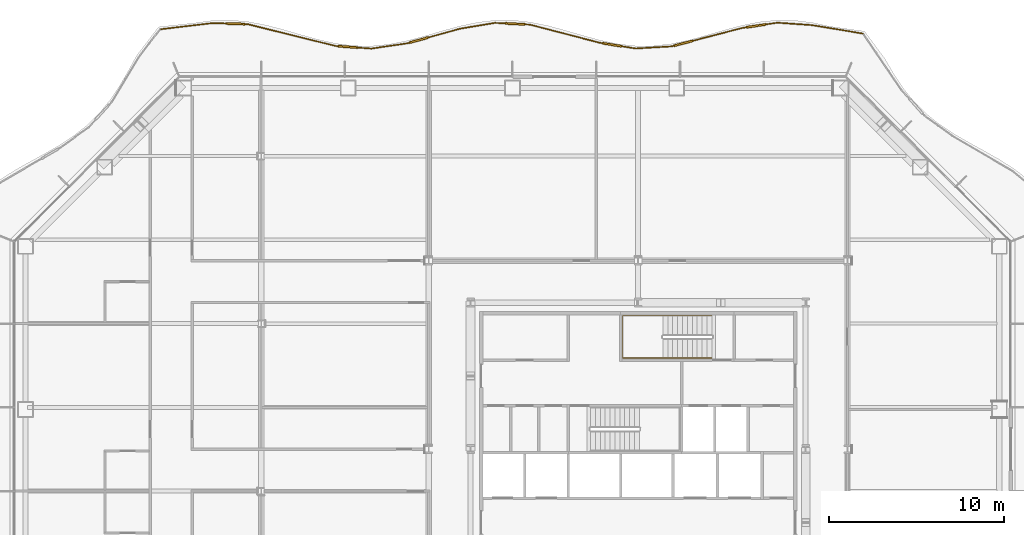
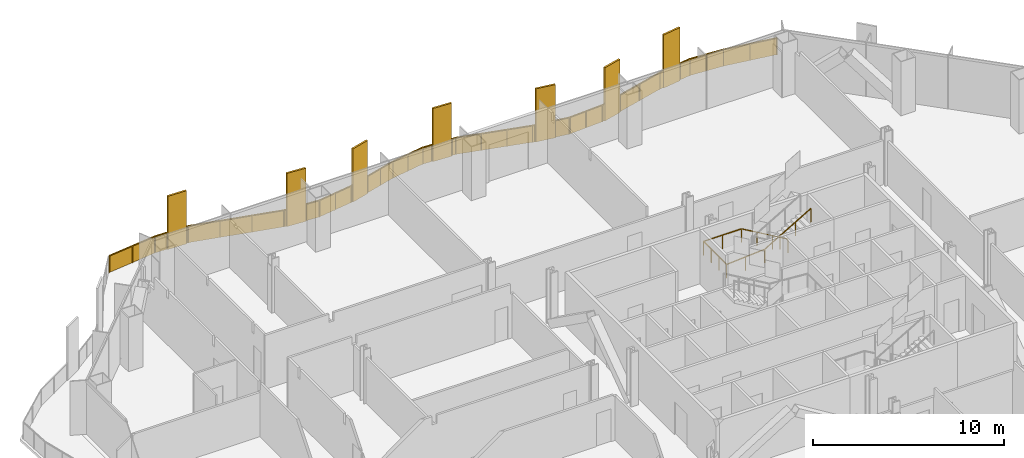
# One storey, part 17 of 18: 2 railings.
"""IFC4 building model written with IfcOpenShell, lengths in metres."""

from ifc_helpers import new_model, si_unit, direction, frame, origin, origin_2d, place, context, subcontext, project, spatial, polyline, rectangle, outline, extrude, material, type_object, element, save


model = new_model("IFC4")

# Units and contexts
model_context = context("Model", 3, precision=1e-05, world=origin(), true_north=direction((0.0, 1.0)))
body_context = subcontext(model_context, "Body", "Model", "MODEL_VIEW")
ifc_project = project(units=[si_unit("LENGTHUNIT", "METRE"), si_unit("AREAUNIT", "SQUARE_METRE"), si_unit("VOLUMEUNIT", "CUBIC_METRE"), si_unit("PLANEANGLEUNIT", "RADIAN"), si_unit("MASSUNIT", "GRAM", prefix="KILO")], contexts=[model_context])

# Site, building, storey
site_placement = place(None, origin())
site = spatial("IfcSite", under=ifc_project, at=site_placement, CompositionType="ELEMENT")
building_placement = place(site_placement, origin())
building = spatial("IfcBuilding", under=site, at=building_placement, Name="Cairn Pilgrim Tower", CompositionType="ELEMENT")
storey_placement = place(building_placement, frame((0.0, 0.0, 76.199951171875)))
storey = spatial("IfcBuildingStorey", under=building, at=storey_placement, Name="L17", CompositionType="ELEMENT", Elevation=76.199951171875)

# Railings
ifc_material_1 = material(Name="Bronze anodised aluminium rail, posts and fin screens with laminated glass infill", Category="aluminium")
railing_type_1 = type_object("IfcRailingType", Name="BALCONY GUARD WITH FIN SCREENS", PredefinedType="GUARDRAIL", material=ifc_material_1)
railing_1_placement = place(storey_placement, frame((20.0869140625, 26.216064453125, 0.0)))
element("IfcRailing", 1, at=railing_1_placement, inside=storey, type_object=railing_type_1, Name="Balcony guard BGF-5 with fin screens", PredefinedType="GUARDRAIL", context=body_context, shape_type="SweptSolid", body=[
    extrude(rectangle(XDim=0.050048828125, YDim=0.050048828125, at=origin_2d()), frame((0.0, 0.0, 1.0751953125), z_axis=(-0.98642283129, 0.164225448421, 0.0), x_axis=(-0.164225448421, -0.98642283129, 0.0)), (0.0, 0.0, 1.0), 2.9658203125),
    extrude(rectangle(XDim=0.050048828125, YDim=0.050048828125, at=origin_2d()), frame((-2.925537109375, 0.487060546875, 1.0751953125), z_axis=(-0.997648764917, 0.068534238587, 0.0), x_axis=(-0.068534238587, -0.997648764917, 0.0)), (0.0, 0.0, 1.0), 2.001953125),
    extrude(rectangle(XDim=1.10009765625, YDim=0.110107421875, at=origin_2d()), frame((-6.12451171875, 0.443359375, 0.0), z_axis=(0.0, 0.0, 1.0), x_axis=(-0.988865302966, -0.14881334816, 0.0)), (0.0, 0.0, 1.0), 3.39990234375),
    extrude(rectangle(XDim=0.050048828125, YDim=0.050048828125, at=origin_2d()), frame((-4.9228515625, 0.624267578125, 1.0751953125), z_axis=(-0.988865302966, -0.14881334816, 0.0), x_axis=(0.14881334816, -0.988865302966, 0.0)), (0.0, 0.0, 1.0), 0.665283203125),
    extrude(rectangle(XDim=0.050048828125, YDim=0.050048828125, at=origin_2d()), frame((-6.66845703125, 0.361572265625, 1.0751953125), z_axis=(-0.988865302966, -0.14881334816, 0.0), x_axis=(0.14881334816, -0.988865302966, 0.0)), (0.0, 0.0, 1.0), 0.25439453125),
    extrude(rectangle(XDim=1.10009765625, YDim=0.110107421875, at=origin_2d()), frame((-10.291259765625, -0.55517578125, 0.0), z_axis=(0.0, 0.0, 1.0), x_axis=(-0.967660015945, -0.252257990046, 0.0)), (0.0, 0.0, 1.0), 3.39990234375),
    extrude(rectangle(XDim=0.050048828125, YDim=0.050048828125, at=origin_2d()), frame((-6.919921875, 0.32373046875, 1.0751953125), z_axis=(-0.967660015945, -0.252257990046, 0.0), x_axis=(0.252257990046, -0.967660015945, 0.0)), (0.0, 0.0, 1.0), 2.93408203125),
    extrude(rectangle(XDim=0.050048828125, YDim=0.050048828125, at=origin_2d()), frame((-10.823486328125, -0.69384765625, 1.0751953125), z_axis=(-0.967660015945, -0.252257990046, 0.0), x_axis=(0.252257990046, -0.967660015945, 0.0)), (0.0, 0.0, 1.0), 0.14990234375),
    extrude(rectangle(XDim=0.050048828125, YDim=0.050048828125, at=origin_2d()), frame((-10.968505859375, -0.731689453125, 1.0751953125), z_axis=(-0.998242281057, -0.059265068203, 0.0), x_axis=(0.059265068203, -0.998242281057, 0.0)), (0.0, 0.0, 1.0), 2.0556640625),
    extrude(rectangle(XDim=1.10009765625, YDim=0.110107421875, at=origin_2d()), frame((-14.37353515625, -0.63916015625, 0.0), z_axis=(0.0, 0.0, 1.0), x_axis=(-0.987694013112, 0.156398645974, 0.0)), (0.0, 0.0, 1.0), 3.39990234375),
    extrude(rectangle(XDim=0.050048828125, YDim=0.050048828125, at=origin_2d()), frame((-13.0205078125, -0.853515625, 1.0751953125), z_axis=(-0.987694013112, 0.156398645974, 0.0), x_axis=(-0.156398645974, -0.987694013112, 0.0)), (0.0, 0.0, 1.0), 0.81982421875),
    extrude(rectangle(XDim=0.050048828125, YDim=0.050048828125, at=origin_2d()), frame((-14.916748046875, -0.55322265625, 1.0751953125), z_axis=(-0.987694013112, 0.156398645974, 0.0), x_axis=(-0.156398645974, -0.987694013112, 0.0)), (0.0, 0.0, 1.0), 0.14990234375),
    extrude(rectangle(XDim=0.050048828125, YDim=0.050048828125, at=origin_2d()), frame((-15.06494140625, -0.52978515625, 1.0751953125), z_axis=(-0.968039579587, 0.25079747278, 0.0), x_axis=(-0.25079747278, -0.968039579587, 0.0)), (0.0, 0.0, 1.0), 4.16748046875),
    extrude(rectangle(XDim=1.10009765625, YDim=0.110107421875, at=origin_2d()), frame((-19.935546875, 0.557373046875, 0.0), z_axis=(0.0, 0.0, 1.0), x_axis=(-0.998749281, 0.049998737012, 0.0)), (0.0, 0.0, 1.0), 3.39990234375),
    extrude(rectangle(XDim=0.050048828125, YDim=0.050048828125, at=origin_2d()), frame((-19.09912109375, 0.515380859375, 1.0751953125), z_axis=(-0.998749281, 0.049998737012, 0.0), x_axis=(-0.049998737012, -0.998749281, 0.0)), (0.0, 0.0, 1.0), 0.287353515625),
    extrude(rectangle(XDim=0.050048828125, YDim=0.050048828125, at=origin_2d()), frame((-20.48486328125, 0.584716796875, 1.0751953125), z_axis=(-0.998749281, 0.049998737012, 0.0), x_axis=(-0.049998737012, -0.998749281, 0.0)), (0.0, 0.0, 1.0), 0.604736328125),
    extrude(rectangle(XDim=0.050048828125, YDim=0.050048828125, at=origin_2d()), frame((-21.0888671875, 0.614990234375, 1.0751953125), z_axis=(-0.986462275473, -0.163988350403, 0.0), x_axis=(0.163988350403, -0.986462275473, 0.0)), (0.0, 0.0, 1.0), 2.024658203125),
    extrude(rectangle(XDim=1.10009765625, YDim=0.110107421875, at=origin_2d()), frame((-25.444580078125, -0.370849609375, 0.0), z_axis=(0.0, 0.0, 1.0), x_axis=(-0.963648939615, -0.267171707296, 0.0)), (0.0, 0.0, 1.0), 3.39990234375),
    extrude(rectangle(XDim=0.050048828125, YDim=0.050048828125, at=origin_2d()), frame((-23.086181640625, 0.282958984375, 1.0751953125), z_axis=(-0.963648939615, -0.267171707296, 0.0), x_axis=(0.267171707296, -0.963648939615, 0.0)), (0.0, 0.0, 1.0), 1.897216796875),
    extrude(rectangle(XDim=0.050048828125, YDim=0.050048828125, at=origin_2d()), frame((-25.974609375, -0.517822265625, 1.0751953125), z_axis=(-0.963648939615, -0.267171707296, 0.0), x_axis=(0.267171707296, -0.963648939615, 0.0)), (0.0, 0.0, 1.0), 0.14990234375),
    extrude(rectangle(XDim=0.050048828125, YDim=0.050048828125, at=origin_2d()), frame((-26.118896484375, -0.557861328125, 1.0751953125), z_axis=(-0.989321629468, -0.145748802624, 0.0), x_axis=(0.145748802624, -0.989321629468, 0.0)), (0.0, 0.0, 1.0), 2.068603515625),
    extrude(rectangle(XDim=1.10009765625, YDim=0.110107421875, at=origin_2d()), frame((-29.517578125, -0.76171875, 0.0), z_axis=(0.0, 0.0, 1.0), x_axis=(-0.997398055354, 0.072091047821, 0.0)), (0.0, 0.0, 1.0), 3.39990234375),
    extrude(rectangle(XDim=0.050048828125, YDim=0.050048828125, at=origin_2d()), frame((-28.16552734375, -0.859375, 1.0751953125), z_axis=(-0.997398055354, 0.072091047821, 0.0), x_axis=(-0.072091047821, -0.997398055354, 0.0)), (0.0, 0.0, 1.0), 0.8056640625),
    extrude(rectangle(XDim=0.050048828125, YDim=0.050048828125, at=origin_2d()), frame((-30.066162109375, -0.721923828125, 1.0751953125), z_axis=(-0.997398055354, 0.072091047821, 0.0), x_axis=(-0.072091047821, -0.997398055354, 0.0)), (0.0, 0.0, 1.0), 0.14990234375),
    extrude(rectangle(XDim=0.050048828125, YDim=0.050048828125, at=origin_2d()), frame((-30.2158203125, -0.711181640625, 1.0751953125), z_axis=(-0.970623663936, 0.240602790939, 0.0), x_axis=(-0.240602790939, -0.970623663936, 0.0)), (0.0, 0.0, 1.0), 5.202392578125),
    extrude(rectangle(XDim=1.10009765625, YDim=0.110107421875, at=origin_2d()), frame((-35.965087890625, 0.562255859375, 0.0), z_axis=(0.0, 0.0, 1.0), x_axis=(-0.999512911525, 0.031208006911, 0.0)), (0.0, 0.0, 1.0), 3.39990234375),
    extrude(rectangle(XDim=0.050048828125, YDim=0.050048828125, at=origin_2d()), frame((-35.265380859375, 0.54052734375, 1.0751953125), z_axis=(-0.999512911525, 0.031208006911, 0.0), x_axis=(-0.031208006911, -0.999512911525, 0.0)), (0.0, 0.0, 1.0), 0.14990234375),
    extrude(rectangle(XDim=0.050048828125, YDim=0.050048828125, at=origin_2d()), frame((-36.514892578125, 0.57958984375, 1.0751953125), z_axis=(-0.999512911525, 0.031208006911, 0.0), x_axis=(-0.031208006911, -0.999512911525, 0.0)), (0.0, 0.0, 1.0), 0.744873046875),
    extrude(rectangle(XDim=0.050048828125, YDim=0.050048828125, at=origin_2d()), frame((-37.25927734375, 0.602783203125, 1.0751953125), z_axis=(-0.99308459571, -0.117400961508, 0.0), x_axis=(0.117400961508, -0.99308459571, 0.0)), (0.0, 0.0, 1.0), 2.986328125),
    extrude(rectangle(XDim=0.050048828125, YDim=0.050048828125, at=origin_2d()), origin(), (0.0, 0.0, 1.0), 1.050048828125),
    extrude(rectangle(XDim=0.050048828125, YDim=0.050048828125, at=origin_2d()), frame((-1.462890625, 0.24365234375, 0.0)), (0.0, 0.0, 1.0), 1.050048828125),
    extrude(rectangle(XDim=0.050048828125, YDim=0.050048828125, at=origin_2d()), frame((-2.925537109375, 0.487060546875, 0.0)), (0.0, 0.0, 1.0), 1.050048828125),
    extrude(rectangle(XDim=0.050048828125, YDim=0.050048828125, at=origin_2d()), frame((-3.92431640625, 0.5556640625, 0.0)), (0.0, 0.0, 1.0), 1.050048828125),
    extrude(rectangle(XDim=0.050048828125, YDim=0.050048828125, at=origin_2d()), frame((-4.9228515625, 0.624267578125, 0.0)), (0.0, 0.0, 1.0), 1.050048828125),
    extrude(rectangle(XDim=0.050048828125, YDim=0.050048828125, at=origin_2d()), frame((-5.555908203125, 0.529052734375, 0.0)), (0.0, 0.0, 1.0), 1.050048828125),
    extrude(rectangle(XDim=0.050048828125, YDim=0.050048828125, at=origin_2d()), frame((-6.693115234375, 0.35791015625, 0.0)), (0.0, 0.0, 1.0), 1.050048828125),
    extrude(rectangle(XDim=0.050048828125, YDim=0.050048828125, at=origin_2d()), frame((-6.919921875, 0.32373046875, 0.0)), (0.0, 0.0, 1.0), 1.050048828125),
    extrude(rectangle(XDim=0.050048828125, YDim=0.050048828125, at=origin_2d()), frame((-8.327392578125, -0.043212890625, 0.0)), (0.0, 0.0, 1.0), 1.050048828125),
    extrude(rectangle(XDim=0.050048828125, YDim=0.050048828125, at=origin_2d()), frame((-9.73486328125, -0.41015625, 0.0)), (0.0, 0.0, 1.0), 1.050048828125),
    extrude(rectangle(XDim=0.050048828125, YDim=0.050048828125, at=origin_2d()), frame((-10.84765625, -0.7001953125, 0.0)), (0.0, 0.0, 1.0), 1.050048828125),
    extrude(rectangle(XDim=0.050048828125, YDim=0.050048828125, at=origin_2d()), frame((-10.968505859375, -0.731689453125, 0.0)), (0.0, 0.0, 1.0), 1.050048828125),
    extrude(rectangle(XDim=0.050048828125, YDim=0.050048828125, at=origin_2d()), frame((-11.99462890625, -0.79248046875, 0.0)), (0.0, 0.0, 1.0), 1.050048828125),
    extrude(rectangle(XDim=0.050048828125, YDim=0.050048828125, at=origin_2d()), frame((-13.0205078125, -0.853515625, 0.0)), (0.0, 0.0, 1.0), 1.050048828125),
    extrude(rectangle(XDim=0.050048828125, YDim=0.050048828125, at=origin_2d()), frame((-13.8056640625, -0.729248046875, 0.0)), (0.0, 0.0, 1.0), 1.050048828125),
    extrude(rectangle(XDim=0.050048828125, YDim=0.050048828125, at=origin_2d()), frame((-14.94140625, -0.54931640625, 0.0)), (0.0, 0.0, 1.0), 1.050048828125),
    extrude(rectangle(XDim=0.050048828125, YDim=0.050048828125, at=origin_2d()), frame((-15.06494140625, -0.52978515625, 0.0)), (0.0, 0.0, 1.0), 1.050048828125),
    extrude(rectangle(XDim=0.050048828125, YDim=0.050048828125, at=origin_2d()), frame((-16.40966796875, -0.181396484375, 0.0)), (0.0, 0.0, 1.0), 1.050048828125),
    extrude(rectangle(XDim=0.050048828125, YDim=0.050048828125, at=origin_2d()), frame((-17.75439453125, 0.1669921875, 0.0)), (0.0, 0.0, 1.0), 1.050048828125),
    extrude(rectangle(XDim=0.050048828125, YDim=0.050048828125, at=origin_2d()), frame((-19.09912109375, 0.515380859375, 0.0)), (0.0, 0.0, 1.0), 1.050048828125),
    extrude(rectangle(XDim=0.050048828125, YDim=0.050048828125, at=origin_2d()), frame((-19.361083984375, 0.528564453125, 0.0)), (0.0, 0.0, 1.0), 1.050048828125),
    extrude(rectangle(XDim=0.050048828125, YDim=0.050048828125, at=origin_2d()), frame((-20.509765625, 0.5859375, 0.0)), (0.0, 0.0, 1.0), 1.050048828125),
    extrude(rectangle(XDim=0.050048828125, YDim=0.050048828125, at=origin_2d()), frame((-21.0888671875, 0.614990234375, 0.0)), (0.0, 0.0, 1.0), 1.050048828125),
    extrude(rectangle(XDim=0.050048828125, YDim=0.050048828125, at=origin_2d()), frame((-22.08740234375, 0.448974609375, 0.0)), (0.0, 0.0, 1.0), 1.050048828125),
    extrude(rectangle(XDim=0.050048828125, YDim=0.050048828125, at=origin_2d()), frame((-23.086181640625, 0.282958984375, 0.0)), (0.0, 0.0, 1.0), 1.050048828125),
    extrude(rectangle(XDim=0.050048828125, YDim=0.050048828125, at=origin_2d()), frame((-23.98828125, 0.032958984375, 0.0)), (0.0, 0.0, 1.0), 1.050048828125),
    extrude(rectangle(XDim=0.050048828125, YDim=0.050048828125, at=origin_2d()), frame((-24.890380859375, -0.21728515625, 0.0)), (0.0, 0.0, 1.0), 1.050048828125),
    extrude(rectangle(XDim=0.050048828125, YDim=0.050048828125, at=origin_2d()), frame((-25.99853515625, -0.5244140625, 0.0)), (0.0, 0.0, 1.0), 1.050048828125),
    extrude(rectangle(XDim=0.050048828125, YDim=0.050048828125, at=origin_2d()), frame((-26.118896484375, -0.557861328125, 0.0)), (0.0, 0.0, 1.0), 1.050048828125),
    extrude(rectangle(XDim=0.050048828125, YDim=0.050048828125, at=origin_2d()), frame((-27.14208984375, -0.70849609375, 0.0)), (0.0, 0.0, 1.0), 1.050048828125),
    extrude(rectangle(XDim=0.050048828125, YDim=0.050048828125, at=origin_2d()), frame((-28.16552734375, -0.859375, 0.0)), (0.0, 0.0, 1.0), 1.050048828125),
    extrude(rectangle(XDim=0.050048828125, YDim=0.050048828125, at=origin_2d()), frame((-28.944091796875, -0.802978515625, 0.0)), (0.0, 0.0, 1.0), 1.050048828125),
    extrude(rectangle(XDim=0.050048828125, YDim=0.050048828125, at=origin_2d()), frame((-30.091064453125, -0.72021484375, 0.0)), (0.0, 0.0, 1.0), 1.050048828125),
    extrude(rectangle(XDim=0.050048828125, YDim=0.050048828125, at=origin_2d()), frame((-30.2158203125, -0.711181640625, 0.0)), (0.0, 0.0, 1.0), 1.050048828125),
    extrude(rectangle(XDim=0.050048828125, YDim=0.050048828125, at=origin_2d()), frame((-31.89892578125, -0.2939453125, 0.0)), (0.0, 0.0, 1.0), 1.050048828125),
    extrude(rectangle(XDim=0.050048828125, YDim=0.050048828125, at=origin_2d()), frame((-33.582275390625, 0.123291015625, 0.0)), (0.0, 0.0, 1.0), 1.050048828125),
    extrude(rectangle(XDim=0.050048828125, YDim=0.050048828125, at=origin_2d()), frame((-35.265380859375, 0.54052734375, 0.0)), (0.0, 0.0, 1.0), 1.050048828125),
    extrude(rectangle(XDim=0.050048828125, YDim=0.050048828125, at=origin_2d()), frame((-35.390380859375, 0.54443359375, 0.0)), (0.0, 0.0, 1.0), 1.050048828125),
    extrude(rectangle(XDim=0.050048828125, YDim=0.050048828125, at=origin_2d()), frame((-36.539794921875, 0.580322265625, 0.0)), (0.0, 0.0, 1.0), 1.050048828125),
    extrude(rectangle(XDim=0.050048828125, YDim=0.050048828125, at=origin_2d()), frame((-37.25927734375, 0.602783203125, 0.0)), (0.0, 0.0, 1.0), 1.050048828125),
    extrude(rectangle(XDim=0.050048828125, YDim=0.050048828125, at=origin_2d()), frame((-38.7421875, 0.427490234375, 0.0)), (0.0, 0.0, 1.0), 1.050048828125),
    extrude(rectangle(XDim=0.050048828125, YDim=0.050048828125, at=origin_2d()), frame((-40.224853515625, 0.252197265625, 0.0)), (0.0, 0.0, 1.0), 1.050048828125),
    extrude(outline(polyline([(0.02490234375, 0.0), (1.457763671875, 0.0), (1.457763671875, 1.050048828125), (0.02490234375, 1.050048828125), (0.02490234375, 0.0)])), frame((-0.0009765625, -0.005859375, 0.0), z_axis=(0.164225448421, 0.98642283129, 0.0), x_axis=(-0.98642283129, 0.164225448421, 0.0)), (0.0, 0.0, 1.0), 0.011962890625),
    extrude(outline(polyline([(0.02490234375, 0.0), (1.457763671875, 0.0), (1.457763671875, 1.050048828125), (0.02490234375, 1.050048828125), (0.02490234375, 0.0)])), frame((-1.4638671875, 0.237548828125, 0.0), z_axis=(0.164225448421, 0.98642283129, 0.0), x_axis=(-0.98642283129, 0.164225448421, 0.0)), (0.0, 0.0, 1.0), 0.011962890625),
    extrude(outline(polyline([(0.02490234375, 0.0), (0.97607421875, 0.0), (0.97607421875, 1.050048828125), (0.02490234375, 1.050048828125), (0.02490234375, 0.0)])), frame((-2.926025390625, 0.481201171875, 0.0), z_axis=(0.068534238587, 0.997648764917, 0.0), x_axis=(-0.997648764917, 0.068534238587, 0.0)), (0.0, 0.0, 1.0), 0.011962890625),
    extrude(outline(polyline([(0.02490234375, 0.0), (0.97607421875, 0.0), (0.97607421875, 1.050048828125), (0.02490234375, 1.050048828125), (0.02490234375, 0.0)])), frame((-3.924560546875, 0.5498046875, 0.0), z_axis=(0.068534238587, 0.997648764917, 0.0), x_axis=(-0.997648764917, 0.068534238587, 0.0)), (0.0, 0.0, 1.0), 0.011962890625),
    extrude(outline(polyline([(0.02490234375, 0.0), (0.615234375, 0.0), (0.615234375, 1.050048828125), (0.02490234375, 1.050048828125), (0.02490234375, 0.0)])), frame((-4.921875, 0.618408203125, 0.0), z_axis=(-0.14881334816, 0.988865302966, 0.0), x_axis=(-0.988865302966, -0.14881334816, 0.0)), (0.0, 0.0, 1.0), 0.011962890625),
    extrude(outline(polyline([(0.02490234375, 0.0), (0.204345703125, 0.0), (0.204345703125, 1.050048828125), (0.02490234375, 1.050048828125), (0.02490234375, 0.0)])), frame((-6.6923828125, 0.35205078125, 0.0), z_axis=(-0.14881334816, 0.988865302966, 0.0), x_axis=(-0.988865302966, -0.14881334816, 0.0)), (0.0, 0.0, 1.0), 0.011962890625),
    extrude(outline(polyline([(0.02490234375, 0.0), (1.429443359375, 0.0), (1.429443359375, 1.050048828125), (0.02490234375, 1.050048828125), (0.02490234375, 0.0)])), frame((-6.91845703125, 0.31787109375, 0.0), z_axis=(-0.252257990046, 0.967660015945, 0.0), x_axis=(-0.967660015945, -0.252257990046, 0.0)), (0.0, 0.0, 1.0), 0.011962890625),
    extrude(outline(polyline([(0.02490234375, 0.0), (1.429443359375, 0.0), (1.429443359375, 1.050048828125), (0.02490234375, 1.050048828125), (0.02490234375, 0.0)])), frame((-8.325927734375, -0.049072265625, 0.0), z_axis=(-0.252257990046, 0.967660015945, 0.0), x_axis=(-0.967660015945, -0.252257990046, 0.0)), (0.0, 0.0, 1.0), 0.011962890625),
    extrude(outline(polyline([(0.02490234375, 0.0), (0.099853515625, 0.0), (0.099853515625, 1.050048828125), (0.02490234375, 1.050048828125), (0.02490234375, 0.0)])), frame((-10.84619140625, -0.7060546875, 0.0), z_axis=(-0.252257990046, 0.967660015945, 0.0), x_axis=(-0.967660015945, -0.252257990046, 0.0)), (0.0, 0.0, 1.0), 0.011962890625),
    extrude(outline(polyline([(0.02490234375, 0.0), (1.002685546875, 0.0), (1.002685546875, 1.050048828125), (0.02490234375, 1.050048828125), (0.02490234375, 0.0)])), frame((-10.96826171875, -0.737548828125, 0.0), z_axis=(-0.059265068203, 0.998242281057, 0.0), x_axis=(-0.998242281057, -0.059265068203, 0.0)), (0.0, 0.0, 1.0), 0.011962890625),
    extrude(outline(polyline([(0.02490234375, 0.0), (1.002685546875, 0.0), (1.002685546875, 1.050048828125), (0.02490234375, 1.050048828125), (0.02490234375, 0.0)])), frame((-11.994140625, -0.798583984375, 0.0), z_axis=(-0.059265068203, 0.998242281057, 0.0), x_axis=(-0.998242281057, -0.059265068203, 0.0)), (0.0, 0.0, 1.0), 0.011962890625),
    extrude(outline(polyline([(0.02490234375, 0.0), (0.769775390625, 0.0), (0.769775390625, 1.050048828125), (0.02490234375, 1.050048828125), (0.02490234375, 0.0)])), frame((-13.021484375, -0.859375, 0.0), z_axis=(0.156398645974, 0.987694013112, 0.0), x_axis=(-0.987694013112, 0.156398645974, 0.0)), (0.0, 0.0, 1.0), 0.011962890625),
    extrude(outline(polyline([(0.02490234375, 0.0), (0.099853515625, 0.0), (0.099853515625, 1.050048828125), (0.02490234375, 1.050048828125), (0.02490234375, 0.0)])), frame((-14.9423828125, -0.55517578125, 0.0), z_axis=(0.156398645974, 0.987694013112, 0.0), x_axis=(-0.987694013112, 0.156398645974, 0.0)), (0.0, 0.0, 1.0), 0.011962890625),
    extrude(outline(polyline([(0.02490234375, 0.0), (1.364013671875, 0.0), (1.364013671875, 1.050048828125), (0.02490234375, 1.050048828125), (0.02490234375, 0.0)])), frame((-15.06640625, -0.53564453125, 0.0), z_axis=(0.25079747278, 0.968039579587, 0.0), x_axis=(-0.968039579587, 0.25079747278, 0.0)), (0.0, 0.0, 1.0), 0.011962890625),
    extrude(outline(polyline([(0.02490234375, 0.0), (1.364013671875, 0.0), (1.364013671875, 1.050048828125), (0.02490234375, 1.050048828125), (0.02490234375, 0.0)])), frame((-16.4111328125, -0.187255859375, 0.0), z_axis=(0.25079747278, 0.968039579587, 0.0), x_axis=(-0.968039579587, 0.25079747278, 0.0)), (0.0, 0.0, 1.0), 0.011962890625),
    extrude(outline(polyline([(0.02490234375, 0.0), (1.364013671875, 0.0), (1.364013671875, 1.050048828125), (0.02490234375, 1.050048828125), (0.02490234375, 0.0)])), frame((-17.755859375, 0.1611328125, 0.0), z_axis=(0.25079747278, 0.968039579587, 0.0), x_axis=(-0.968039579587, 0.25079747278, 0.0)), (0.0, 0.0, 1.0), 0.011962890625),
    extrude(outline(polyline([(0.02490234375, 0.0), (0.2373046875, 0.0), (0.2373046875, 1.050048828125), (0.02490234375, 1.050048828125), (0.02490234375, 0.0)])), frame((-19.099365234375, 0.509521484375, 0.0), z_axis=(0.049998737012, 0.998749281, 0.0), x_axis=(-0.998749281, 0.049998737012, 0.0)), (0.0, 0.0, 1.0), 0.011962890625),
    extrude(outline(polyline([(0.02490234375, 0.0), (0.5546875, 0.0), (0.5546875, 1.050048828125), (0.02490234375, 1.050048828125), (0.02490234375, 0.0)])), frame((-20.510009765625, 0.580078125, 0.0), z_axis=(0.049998737012, 0.998749281, 0.0), x_axis=(-0.998749281, 0.049998737012, 0.0)), (0.0, 0.0, 1.0), 0.011962890625),
    extrude(outline(polyline([(0.02490234375, 0.0), (0.9873046875, 0.0), (0.9873046875, 1.050048828125), (0.02490234375, 1.050048828125), (0.02490234375, 0.0)])), frame((-21.087890625, 0.609130859375, 0.0), z_axis=(-0.163988350403, 0.986462275473, 0.0), x_axis=(-0.986462275473, -0.163988350403, 0.0)), (0.0, 0.0, 1.0), 0.011962890625),
    extrude(outline(polyline([(0.02490234375, 0.0), (0.9873046875, 0.0), (0.9873046875, 1.050048828125), (0.02490234375, 1.050048828125), (0.02490234375, 0.0)])), frame((-22.08642578125, 0.443115234375, 0.0), z_axis=(-0.163988350403, 0.986462275473, 0.0), x_axis=(-0.986462275473, -0.163988350403, 0.0)), (0.0, 0.0, 1.0), 0.011962890625),
    extrude(outline(polyline([(0.02490234375, 0.0), (0.9111328125, 0.0), (0.9111328125, 1.050048828125), (0.02490234375, 1.050048828125), (0.02490234375, 0.0)])), frame((-23.08447265625, 0.277099609375, 0.0), z_axis=(-0.267171707296, 0.963648939615, 0.0), x_axis=(-0.963648939615, -0.267171707296, 0.0)), (0.0, 0.0, 1.0), 0.011962890625),
    extrude(outline(polyline([(0.02490234375, 0.0), (0.9111328125, 0.0), (0.9111328125, 1.050048828125), (0.02490234375, 1.050048828125), (0.02490234375, 0.0)])), frame((-23.986572265625, 0.027099609375, 0.0), z_axis=(-0.267171707296, 0.963648939615, 0.0), x_axis=(-0.963648939615, -0.267171707296, 0.0)), (0.0, 0.0, 1.0), 0.011962890625),
    extrude(outline(polyline([(0.02490234375, 0.0), (0.099853515625, 0.0), (0.099853515625, 1.050048828125), (0.02490234375, 1.050048828125), (0.02490234375, 0.0)])), frame((-25.9970703125, -0.5302734375, 0.0), z_axis=(-0.267171707296, 0.963648939615, 0.0), x_axis=(-0.963648939615, -0.267171707296, 0.0)), (0.0, 0.0, 1.0), 0.011962890625),
    extrude(outline(polyline([(0.02490234375, 0.0), (1.00927734375, 0.0), (1.00927734375, 1.050048828125), (0.02490234375, 1.050048828125), (0.02490234375, 0.0)])), frame((-26.117919921875, -0.563720703125, 0.0), z_axis=(-0.145748802624, 0.989321629468, 0.0), x_axis=(-0.989321629468, -0.145748802624, 0.0)), (0.0, 0.0, 1.0), 0.011962890625),
    extrude(outline(polyline([(0.02490234375, 0.0), (1.00927734375, 0.0), (1.00927734375, 1.050048828125), (0.02490234375, 1.050048828125), (0.02490234375, 0.0)])), frame((-27.141357421875, -0.714599609375, 0.0), z_axis=(-0.145748802624, 0.989321629468, 0.0), x_axis=(-0.989321629468, -0.145748802624, 0.0)), (0.0, 0.0, 1.0), 0.011962890625),
    extrude(outline(polyline([(0.02490234375, 0.0), (0.755615234375, 0.0), (0.755615234375, 1.050048828125), (0.02490234375, 1.050048828125), (0.02490234375, 0.0)])), frame((-28.166015625, -0.865234375, 0.0), z_axis=(0.072091047821, 0.997398055354, 0.0), x_axis=(-0.997398055354, 0.072091047821, 0.0)), (0.0, 0.0, 1.0), 0.011962890625),
    extrude(outline(polyline([(0.02490234375, 0.0), (0.099853515625, 0.0), (0.099853515625, 1.050048828125), (0.02490234375, 1.050048828125), (0.02490234375, 0.0)])), frame((-30.091552734375, -0.72607421875, 0.0), z_axis=(0.072091047821, 0.997398055354, 0.0), x_axis=(-0.997398055354, 0.072091047821, 0.0)), (0.0, 0.0, 1.0), 0.011962890625),
    extrude(outline(polyline([(0.02490234375, 0.0), (1.708984375, 0.0), (1.708984375, 1.050048828125), (0.02490234375, 1.050048828125), (0.02490234375, 0.0)])), frame((-30.21728515625, -0.717041015625, 0.0), z_axis=(0.240602790939, 0.970623663936, 0.0), x_axis=(-0.970623663936, 0.240602790939, 0.0)), (0.0, 0.0, 1.0), 0.011962890625),
    extrude(outline(polyline([(0.02490234375, 0.0), (1.708984375, 0.0), (1.708984375, 1.050048828125), (0.02490234375, 1.050048828125), (0.02490234375, 0.0)])), frame((-31.900390625, -0.2998046875, 0.0), z_axis=(0.240602790939, 0.970623663936, 0.0), x_axis=(-0.970623663936, 0.240602790939, 0.0)), (0.0, 0.0, 1.0), 0.011962890625),
    extrude(outline(polyline([(0.02490234375, 0.0), (1.708984375, 0.0), (1.708984375, 1.050048828125), (0.02490234375, 1.050048828125), (0.02490234375, 0.0)])), frame((-33.583740234375, 0.117431640625, 0.0), z_axis=(0.240602790939, 0.970623663936, 0.0), x_axis=(-0.970623663936, 0.240602790939, 0.0)), (0.0, 0.0, 1.0), 0.011962890625),
    extrude(outline(polyline([(0.02490234375, 0.0), (0.099853515625, 0.0), (0.099853515625, 1.050048828125), (0.02490234375, 1.050048828125), (0.02490234375, 0.0)])), frame((-35.265625, 0.53466796875, 0.0), z_axis=(0.031208006911, 0.999512911525, 0.0), x_axis=(-0.999512911525, 0.031208006911, 0.0)), (0.0, 0.0, 1.0), 0.011962890625),
    extrude(outline(polyline([(0.02490234375, 0.0), (0.69482421875, 0.0), (0.69482421875, 1.050048828125), (0.02490234375, 1.050048828125), (0.02490234375, 0.0)])), frame((-36.5400390625, 0.57421875, 0.0), z_axis=(0.031208006911, 0.999512911525, 0.0), x_axis=(-0.999512911525, 0.031208006911, 0.0)), (0.0, 0.0, 1.0), 0.011962890625),
    extrude(outline(polyline([(0.02490234375, 0.0), (1.468017578125, 0.0), (1.468017578125, 1.050048828125), (0.02490234375, 1.050048828125), (0.02490234375, 0.0)])), frame((-37.258544921875, 0.596923828125, 0.0), z_axis=(-0.117400961508, 0.99308459571, 0.0), x_axis=(-0.99308459571, -0.117400961508, 0.0)), (0.0, 0.0, 1.0), 0.011962890625),
    extrude(outline(polyline([(0.02490234375, 0.0), (1.468017578125, 0.0), (1.468017578125, 1.050048828125), (0.02490234375, 1.050048828125), (0.02490234375, 0.0)])), frame((-38.741455078125, 0.421630859375, 0.0), z_axis=(-0.117400961508, 0.99308459571, 0.0), x_axis=(-0.99308459571, -0.117400961508, 0.0)), (0.0, 0.0, 1.0), 0.011962890625),
])
ifc_material_2 = material(Name="Painted steel", Category="steel")
railing_type_2 = type_object("IfcRailingType", Name="STAIR HANDRAIL 900", PredefinedType="HANDRAIL", material=ifc_material_2)
railing_2_placement = place(storey_placement, frame((11.425048828125, 10.050048828125, 0.16357421875)))
element("IfcRailing", 2, at=railing_2_placement, inside=storey, type_object=railing_type_2, Name="L17 ST-C stair handrail 1", PredefinedType="HANDRAIL", context=body_context, shape_type="SweptSolid", body=[
    extrude(rectangle(XDim=0.048095703125, YDim=0.048095703125, at=origin_2d()), frame((0.0, 0.0, 0.8759765625), z_axis=(-0.863360870873, 0.0, 0.504586966384), x_axis=(0.0, -1.0, 0.0)), (0.0, 0.0, 1.0), 3.2431640625),
    extrude(rectangle(XDim=0.048095703125, YDim=0.048095703125, at=origin_2d()), frame((-2.800048828125, 0.0, 2.51220703125), z_axis=(-1.0, 0.0, 0.0), x_axis=(0.0, -1.0, 0.0)), (0.0, 0.0, 1.0), 2.300048828125),
    extrude(rectangle(XDim=0.048095703125, YDim=0.048095703125, at=origin_2d()), frame((-5.10009765625, 0.0, 2.51220703125), z_axis=(0.0, -1.0, 0.0), x_axis=(1.0, 0.0, 0.0)), (0.0, 0.0, 1.0), 2.425048828125),
    extrude(rectangle(XDim=0.048095703125, YDim=0.048095703125, at=origin_2d()), frame((-5.10009765625, -2.425048828125, 2.51220703125), z_axis=(0.997480687736, 0.0, 0.070938548008), x_axis=(0.0, 1.0, 0.0)), (0.0, 0.0, 1.0), 2.305908203125),
    extrude(rectangle(XDim=0.048095703125, YDim=0.048095703125, at=origin_2d()), frame((-2.800048828125, -2.425048828125, 2.67578125), z_axis=(0.863360870873, 0.0, 0.504586966384), x_axis=(0.0, 1.0, 0.0)), (0.0, 0.0, 1.0), 3.2431640625),
    extrude(rectangle(XDim=0.0419921875, YDim=0.0419921875, at=origin_2d()), origin(), (0.0, 0.0, 1.0), 0.851806640625),
    extrude(rectangle(XDim=0.0419921875, YDim=0.0419921875, at=origin_2d()), frame((-0.933349609375, 0.0, 0.54541015625)), (0.0, 0.0, 1.0), 0.851806640625),
    extrude(rectangle(XDim=0.0419921875, YDim=0.0419921875, at=origin_2d()), frame((-1.86669921875, 0.0, 1.091064453125)), (0.0, 0.0, 1.0), 0.851806640625),
    extrude(rectangle(XDim=0.0419921875, YDim=0.0419921875, at=origin_2d()), frame((-2.800048828125, 0.0, 1.636474609375)), (0.0, 0.0, 1.0), 0.851806640625),
    extrude(rectangle(XDim=0.0419921875, YDim=0.0419921875, at=origin_2d()), frame((-3.9501953125, 0.0, 1.636474609375)), (0.0, 0.0, 1.0), 0.851806640625),
    extrude(rectangle(XDim=0.0419921875, YDim=0.0419921875, at=origin_2d()), frame((-5.10009765625, 0.0, 1.636474609375)), (0.0, 0.0, 1.0), 0.851806640625),
    extrude(rectangle(XDim=0.0419921875, YDim=0.0419921875, at=origin_2d()), frame((-5.10009765625, -0.808349609375, 1.636474609375)), (0.0, 0.0, 1.0), 0.851806640625),
    extrude(rectangle(XDim=0.0419921875, YDim=0.0419921875, at=origin_2d()), frame((-5.10009765625, -1.61669921875, 1.636474609375)), (0.0, 0.0, 1.0), 0.851806640625),
    extrude(rectangle(XDim=0.0419921875, YDim=0.0419921875, at=origin_2d()), frame((-5.10009765625, -2.425048828125, 1.636474609375)), (0.0, 0.0, 1.0), 0.851806640625),
    extrude(rectangle(XDim=0.0419921875, YDim=0.0419921875, at=origin_2d()), frame((-3.9501953125, -2.425048828125, 1.71826171875)), (0.0, 0.0, 1.0), 0.851806640625),
    extrude(rectangle(XDim=0.0419921875, YDim=0.0419921875, at=origin_2d()), frame((-2.800048828125, -2.425048828125, 1.800048828125)), (0.0, 0.0, 1.0), 0.851806640625),
    extrude(rectangle(XDim=0.0419921875, YDim=0.0419921875, at=origin_2d()), frame((-1.86669921875, -2.425048828125, 2.345458984375)), (0.0, 0.0, 1.0), 0.851806640625),
    extrude(rectangle(XDim=0.0419921875, YDim=0.0419921875, at=origin_2d()), frame((-0.933349609375, -2.425048828125, 2.89111328125)), (0.0, 0.0, 1.0), 0.851806640625),
    extrude(rectangle(XDim=0.0419921875, YDim=0.0419921875, at=origin_2d()), frame((0.0, -2.425048828125, 3.4365234375)), (0.0, 0.0, 1.0), 0.851806640625),
])

save(model, "model.ifc")
